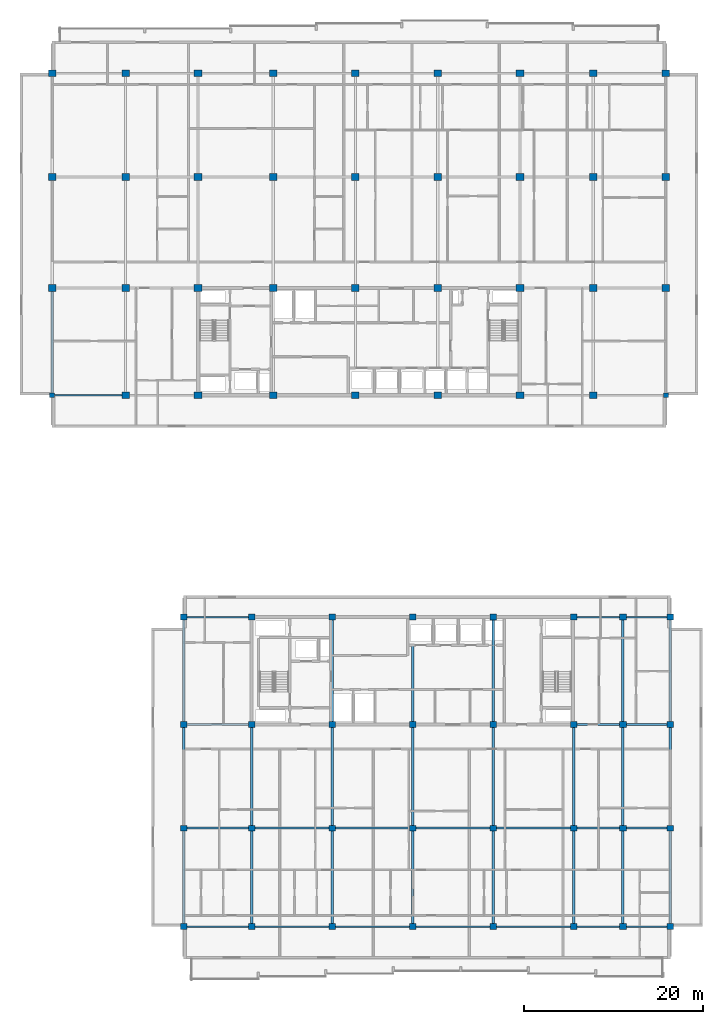
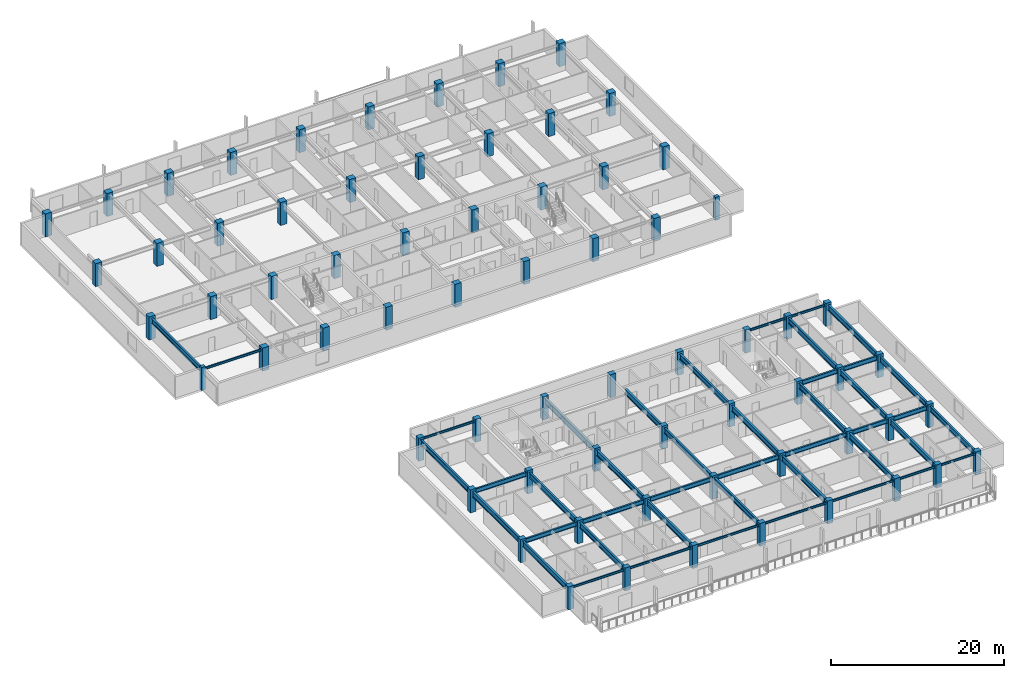
# One storey, part 1 of 21: 68 columns, 44 beams.
"""IFC4 building model written with IfcOpenShell, lengths in metres."""

from ifc_helpers import new_model, si_unit, direction, frame, origin, origin_2d, place, context, subcontext, project, spatial, rectangle, i_section, extrude, material, material_profile, profile_set, type_object, element, save


model = new_model("IFC4")

# Units and contexts
model_context = context("Model", 3, precision=1e-05, world=origin(), true_north=direction((0.0, 1.0)))
body_context = subcontext(model_context, "Body", "Model", "MODEL_VIEW")
ifc_project = project(units=[si_unit("LENGTHUNIT", "METRE"), si_unit("AREAUNIT", "SQUARE_METRE"), si_unit("VOLUMEUNIT", "CUBIC_METRE"), si_unit("PLANEANGLEUNIT", "RADIAN"), si_unit("MASSUNIT", "GRAM", prefix="KILO")], contexts=[model_context])

# Site, building, storey
site_placement = place(None, origin())
site = spatial("IfcSite", under=ifc_project, at=site_placement, CompositionType="ELEMENT")
building_placement = place(site_placement, origin())
building = spatial("IfcBuilding", under=site, at=building_placement, Name="Korimba Cascade Residences", CompositionType="ELEMENT")
storey_placement = place(building_placement, frame((0.0, 0.0, 175.10009765625)))
storey = spatial("IfcBuildingStorey", under=building, at=storey_placement, Name="L50", CompositionType="ELEMENT", Elevation=175.10009765625)

# Columns
ifc_material_1 = material(Name="Concrete C65/80", Category="concrete")
ifc_material_profile_1 = material_profile(ifc_material_1, rectangle(XDim=0.550048828125, YDim=0.449951171875, at=origin_2d()), Name="Concrete C65/80")
ifc_profile_set_1 = profile_set([ifc_material_profile_1], Name="Concrete C65/80")
column_type_1 = type_object("IfcColumnType", Name="COL-PIL-550", PredefinedType="PILASTER", material=ifc_profile_set_1)
for number, where, z_axis, x_axis, name in (
    (1, (59.800048828125, 55.199951171875, 0.0), (0.0, 0.0, 1.0), (1.0, 0.0, 0.0), "L50 Tower 1 Column 1.1"),
    (2, (128.39990234375, 55.199951171875, 0.0), (0.0, 0.0, 1.0), (1.0, 0.0, 0.0), "L50 Tower 1 Column 9.1"),
):
    element("IfcColumn", number, at=place(storey_placement, frame(where, z_axis=z_axis, x_axis=x_axis)), inside=storey, type_object=column_type_1, Name=name, PredefinedType="PILASTER", context=body_context, shape_type="SweptSolid", body=[
        extrude(rectangle(XDim=0.550048828125, YDim=0.449951171875, at=origin_2d()), origin(), (0.0, 0.0, 1.0), 3.25),
    ])
ifc_material_2 = material(Name="Concrete C50/60", Category="concrete")
ifc_material_profile_2 = material_profile(ifc_material_2, rectangle(XDim=0.75, YDim=0.64990234375, at=origin_2d()), Name="Concrete C50/60")
ifc_profile_set_2 = profile_set([ifc_material_profile_2], Name="Concrete C50/60")
column_type_2 = type_object("IfcColumnType", Name="COL-RC-750", PredefinedType="COLUMN", material=ifc_profile_set_2)
for number, where, z_axis, x_axis, name in (
    (3, (74.5, -4.199951171875, 0.0), (0.0, 0.0, 1.0), (1.0, 0.0, 0.0), "L50 Tower 2 Column 1.1"),
    (4, (74.5, 6.800048828125, 0.0), (0.0, 0.0, 1.0), (1.0, 0.0, 0.0), "L50 Tower 2 Column 1.2"),
    (5, (74.5, 18.39990234375, 0.0), (0.0, 0.0, 1.0), (1.0, 0.0, 0.0), "L50 Tower 2 Column 1.3"),
    (6, (74.5, 30.39990234375, 0.0), (0.0, 0.0, 1.0), (1.0, 0.0, 0.0), "L50 Tower 2 Column 1.4"),
    (7, (82.10009765625, -4.199951171875, 0.0), (0.0, 0.0, 1.0), (1.0, 0.0, 0.0), "L50 Tower 2 Column 2.1"),
    (8, (82.10009765625, 6.800048828125, 0.0), (0.0, 0.0, 1.0), (1.0, 0.0, 0.0), "L50 Tower 2 Column 2.2"),
    (9, (82.10009765625, 18.39990234375, 0.0), (0.0, 0.0, 1.0), (1.0, 0.0, 0.0), "L50 Tower 2 Column 2.3"),
    (10, (82.10009765625, 30.39990234375, 0.0), (0.0, 0.0, 1.0), (1.0, 0.0, 0.0), "L50 Tower 2 Column 2.4"),
    (11, (91.10009765625, -4.199951171875, 0.0), (0.0, 0.0, 1.0), (1.0, 0.0, 0.0), "L50 Tower 2 Column 3.1"),
    (12, (91.10009765625, 6.800048828125, 0.0), (0.0, 0.0, 1.0), (1.0, 0.0, 0.0), "L50 Tower 2 Column 3.2"),
    (13, (91.10009765625, 18.39990234375, 0.0), (0.0, 0.0, 1.0), (1.0, 0.0, 0.0), "L50 Tower 2 Column 3.3"),
    (14, (91.10009765625, 30.39990234375, 0.0), (0.0, 0.0, 1.0), (1.0, 0.0, 0.0), "L50 Tower 2 Column 3.4"),
    (15, (100.10009765625, -4.199951171875, 0.0), (0.0, 0.0, 1.0), (1.0, 0.0, 0.0), "L50 Tower 2 Column 4.1"),
    (16, (100.10009765625, 6.800048828125, 0.0), (0.0, 0.0, 1.0), (1.0, 0.0, 0.0), "L50 Tower 2 Column 4.2"),
    (17, (100.10009765625, 18.39990234375, 0.0), (0.0, 0.0, 1.0), (1.0, 0.0, 0.0), "L50 Tower 2 Column 4.3"),
    (18, (100.10009765625, 30.39990234375, 0.0), (0.0, 0.0, 1.0), (1.0, 0.0, 0.0), "L50 Tower 2 Column 4.4"),
    (19, (109.10009765625, -4.199951171875, 0.0), (0.0, 0.0, 1.0), (1.0, 0.0, 0.0), "L50 Tower 2 Column 5.1"),
    (20, (109.10009765625, 6.800048828125, 0.0), (0.0, 0.0, 1.0), (1.0, 0.0, 0.0), "L50 Tower 2 Column 5.2"),
    (21, (109.10009765625, 18.39990234375, 0.0), (0.0, 0.0, 1.0), (1.0, 0.0, 0.0), "L50 Tower 2 Column 5.3"),
    (22, (109.10009765625, 30.39990234375, 0.0), (0.0, 0.0, 1.0), (1.0, 0.0, 0.0), "L50 Tower 2 Column 5.4"),
    (23, (118.10009765625, -4.199951171875, 0.0), (0.0, 0.0, 1.0), (1.0, 0.0, 0.0), "L50 Tower 2 Column 6.1"),
    (24, (118.10009765625, 6.800048828125, 0.0), (0.0, 0.0, 1.0), (1.0, 0.0, 0.0), "L50 Tower 2 Column 6.2"),
    (25, (118.10009765625, 18.39990234375, 0.0), (0.0, 0.0, 1.0), (1.0, 0.0, 0.0), "L50 Tower 2 Column 6.3"),
    (26, (118.10009765625, 30.39990234375, 0.0), (0.0, 0.0, 1.0), (1.0, 0.0, 0.0), "L50 Tower 2 Column 6.4"),
    (27, (123.60009765625, -4.199951171875, 0.0), (0.0, 0.0, 1.0), (1.0, 0.0, 0.0), "L50 Tower 2 Column 7.1"),
    (28, (123.60009765625, 6.800048828125, 0.0), (0.0, 0.0, 1.0), (1.0, 0.0, 0.0), "L50 Tower 2 Column 7.2"),
    (29, (123.60009765625, 18.39990234375, 0.0), (0.0, 0.0, 1.0), (1.0, 0.0, 0.0), "L50 Tower 2 Column 7.3"),
    (30, (123.60009765625, 30.39990234375, 0.0), (0.0, 0.0, 1.0), (1.0, 0.0, 0.0), "L50 Tower 2 Column 7.4"),
    (31, (128.89990234375, -4.199951171875, 0.0), (0.0, 0.0, 1.0), (1.0, 0.0, 0.0), "L50 Tower 2 Column 8.1"),
    (32, (128.89990234375, 6.800048828125, 0.0), (0.0, 0.0, 1.0), (1.0, 0.0, 0.0), "L50 Tower 2 Column 8.2"),
    (33, (128.89990234375, 18.39990234375, 0.0), (0.0, 0.0, 1.0), (1.0, 0.0, 0.0), "L50 Tower 2 Column 8.3"),
    (34, (128.89990234375, 30.39990234375, 0.0), (0.0, 0.0, 1.0), (1.0, 0.0, 0.0), "L50 Tower 2 Column 8.4"),
):
    element("IfcColumn", number, at=place(storey_placement, frame(where, z_axis=z_axis, x_axis=x_axis)), inside=storey, type_object=column_type_2, Name=name, PredefinedType="COLUMN", context=body_context, shape_type="SweptSolid", body=[
        extrude(rectangle(XDim=0.75, YDim=0.64990234375, at=origin_2d()), origin(), (0.0, 0.0, 1.0), 3.25),
    ])
ifc_material_profile_3 = material_profile(ifc_material_1, rectangle(XDim=0.85009765625, YDim=0.75, at=origin_2d()), Name="Concrete C65/80")
ifc_profile_set_3 = profile_set([ifc_material_profile_3], Name="Concrete C65/80")
column_type_3 = type_object("IfcColumnType", Name="COL-RC-850", PredefinedType="COLUMN", material=ifc_profile_set_3)
for number, where, z_axis, x_axis, name in (
    (35, (59.800048828125, 67.199951171875, 0.0), (0.0, 0.0, 1.0), (1.0, 0.0, 0.0), "L50 Tower 1 Column 1.2"),
    (36, (59.800048828125, 79.60009765625, 0.0), (0.0, 0.0, 1.0), (1.0, 0.0, 0.0), "L50 Tower 1 Column 1.3"),
    (37, (59.800048828125, 91.199951171875, 0.0), (0.0, 0.0, 1.0), (1.0, 0.0, 0.0), "L50 Tower 1 Column 1.4"),
    (38, (68.0, 55.199951171875, 0.0), (0.0, 0.0, 1.0), (1.0, 0.0, 0.0), "L50 Tower 1 Column 2.1"),
    (39, (68.0, 67.199951171875, 0.0), (0.0, 0.0, 1.0), (1.0, 0.0, 0.0), "L50 Tower 1 Column 2.2"),
    (40, (68.0, 79.60009765625, 0.0), (0.0, 0.0, 1.0), (1.0, 0.0, 0.0), "L50 Tower 1 Column 2.3"),
    (41, (68.0, 91.199951171875, 0.0), (0.0, 0.0, 1.0), (1.0, 0.0, 0.0), "L50 Tower 1 Column 2.4"),
    (42, (76.10009765625, 55.199951171875, 0.0), (0.0, 0.0, 1.0), (1.0, 0.0, 0.0), "L50 Tower 1 Column 3.1"),
    (43, (76.10009765625, 67.199951171875, 0.0), (0.0, 0.0, 1.0), (1.0, 0.0, 0.0), "L50 Tower 1 Column 3.2"),
    (44, (76.10009765625, 79.60009765625, 0.0), (0.0, 0.0, 1.0), (1.0, 0.0, 0.0), "L50 Tower 1 Column 3.3"),
    (45, (76.10009765625, 91.199951171875, 0.0), (0.0, 0.0, 1.0), (1.0, 0.0, 0.0), "L50 Tower 1 Column 3.4"),
    (46, (84.5, 55.199951171875, 0.0), (0.0, 0.0, 1.0), (1.0, 0.0, 0.0), "L50 Tower 1 Column 4.1"),
    (47, (84.5, 67.199951171875, 0.0), (0.0, 0.0, 1.0), (1.0, 0.0, 0.0), "L50 Tower 1 Column 4.2"),
    (48, (84.5, 79.60009765625, 0.0), (0.0, 0.0, 1.0), (1.0, 0.0, 0.0), "L50 Tower 1 Column 4.3"),
    (49, (84.5, 91.199951171875, 0.0), (0.0, 0.0, 1.0), (1.0, 0.0, 0.0), "L50 Tower 1 Column 4.4"),
    (50, (93.699951171875, 55.199951171875, 0.0), (0.0, 0.0, 1.0), (1.0, 0.0, 0.0), "L50 Tower 1 Column 5.1"),
    (51, (93.699951171875, 67.199951171875, 0.0), (0.0, 0.0, 1.0), (1.0, 0.0, 0.0), "L50 Tower 1 Column 5.2"),
    (52, (93.699951171875, 79.60009765625, 0.0), (0.0, 0.0, 1.0), (1.0, 0.0, 0.0), "L50 Tower 1 Column 5.3"),
    (53, (93.699951171875, 91.199951171875, 0.0), (0.0, 0.0, 1.0), (1.0, 0.0, 0.0), "L50 Tower 1 Column 5.4"),
    (54, (102.89990234375, 55.199951171875, 0.0), (0.0, 0.0, 1.0), (1.0, 0.0, 0.0), "L50 Tower 1 Column 6.1"),
    (55, (102.89990234375, 67.199951171875, 0.0), (0.0, 0.0, 1.0), (1.0, 0.0, 0.0), "L50 Tower 1 Column 6.2"),
    (56, (102.89990234375, 79.60009765625, 0.0), (0.0, 0.0, 1.0), (1.0, 0.0, 0.0), "L50 Tower 1 Column 6.3"),
    (57, (102.89990234375, 91.199951171875, 0.0), (0.0, 0.0, 1.0), (1.0, 0.0, 0.0), "L50 Tower 1 Column 6.4"),
    (58, (112.10009765625, 55.199951171875, 0.0), (0.0, 0.0, 1.0), (1.0, 0.0, 0.0), "L50 Tower 1 Column 7.1"),
    (59, (112.10009765625, 67.199951171875, 0.0), (0.0, 0.0, 1.0), (1.0, 0.0, 0.0), "L50 Tower 1 Column 7.2"),
    (60, (112.10009765625, 79.60009765625, 0.0), (0.0, 0.0, 1.0), (1.0, 0.0, 0.0), "L50 Tower 1 Column 7.3"),
    (61, (112.10009765625, 91.199951171875, 0.0), (0.0, 0.0, 1.0), (1.0, 0.0, 0.0), "L50 Tower 1 Column 7.4"),
    (62, (120.300048828125, 55.199951171875, 0.0), (0.0, 0.0, 1.0), (1.0, 0.0, 0.0), "L50 Tower 1 Column 8.1"),
    (63, (120.300048828125, 67.199951171875, 0.0), (0.0, 0.0, 1.0), (1.0, 0.0, 0.0), "L50 Tower 1 Column 8.2"),
    (64, (120.300048828125, 79.60009765625, 0.0), (0.0, 0.0, 1.0), (1.0, 0.0, 0.0), "L50 Tower 1 Column 8.3"),
    (65, (120.300048828125, 91.199951171875, 0.0), (0.0, 0.0, 1.0), (1.0, 0.0, 0.0), "L50 Tower 1 Column 8.4"),
    (66, (128.39990234375, 67.199951171875, 0.0), (0.0, 0.0, 1.0), (1.0, 0.0, 0.0), "L50 Tower 1 Column 9.2"),
    (67, (128.39990234375, 79.60009765625, 0.0), (0.0, 0.0, 1.0), (1.0, 0.0, 0.0), "L50 Tower 1 Column 9.3"),
    (68, (128.39990234375, 91.199951171875, 0.0), (0.0, 0.0, 1.0), (1.0, 0.0, 0.0), "L50 Tower 1 Column 9.4"),
):
    element("IfcColumn", number, at=place(storey_placement, frame(where, z_axis=z_axis, x_axis=x_axis)), inside=storey, type_object=column_type_3, Name=name, PredefinedType="COLUMN", context=body_context, shape_type="SweptSolid", body=[
        extrude(rectangle(XDim=0.85009765625, YDim=0.75, at=origin_2d()), origin(), (0.0, 0.0, 1.0), 3.25),
    ])

# Beams
ifc_material_3 = material(Name="Steel S355", Category="steel")
ifc_material_profile_4 = material_profile(ifc_material_3, i_section(OverallWidth=0.165771484375, OverallDepth=0.306640625, WebThickness=0.006591796875, FlangeThickness=0.01171875, FilletRadius=0.0087890625, at=origin_2d()), Name="Steel S355")
ifc_profile_set_4 = profile_set([ifc_material_profile_4], Name="Steel S355")
beam_type_1 = type_object("IfcBeamType", Name="BM-STL-UB305", PredefinedType="SPANDREL", material=ifc_profile_set_4)
beam_1_placement = place(storey_placement, frame((60.074951171875, 55.199951171875, 2.816650390625), z_axis=(1.0, 0.0, 0.0), x_axis=(0.0, 1.0, 0.0)))
element("IfcBeam", 69, at=beam_1_placement, inside=storey, type_object=beam_type_1, Name="L50 T1 E-W Girder Y1 Bay 1", PredefinedType="SPANDREL", context=body_context, shape_type="SweptSolid", body=[
    extrude(i_section(OverallWidth=0.165771484375, OverallDepth=0.306640625, WebThickness=0.006591796875, FlangeThickness=0.01171875, FilletRadius=0.0087890625, at=origin_2d()), origin(), (0.0, 0.0, 1.0), 7.5),
])
beam_2_placement = place(storey_placement, frame((74.875, -4.199951171875, 2.816650390625), z_axis=(1.0, 0.0, 0.0), x_axis=(0.0, 1.0, 0.0)))
element("IfcBeam", 70, at=beam_2_placement, inside=storey, type_object=beam_type_1, Name="L50 T2 E-W Girder Y1 Bay 1", PredefinedType="SPANDREL", context=body_context, shape_type="SweptSolid", body=[
    extrude(i_section(OverallWidth=0.165771484375, OverallDepth=0.306640625, WebThickness=0.006591796875, FlangeThickness=0.01171875, FilletRadius=0.0087890625, at=origin_2d()), origin(), (0.0, 0.0, 1.0), 6.85009765625),
])
for number, where, z_axis, x_axis, name in (
    (71, (82.47509765625, -4.199951171875, 2.816650390625), (1.0, 0.0, 0.0), (0.0, 1.0, 0.0), "L50 T2 E-W Girder Y1 Bay 2"),
    (72, (91.47509765625, -4.199951171875, 2.816650390625), (1.0, 0.0, 0.0), (0.0, 1.0, 0.0), "L50 T2 E-W Girder Y1 Bay 3"),
    (73, (100.47509765625, -4.199951171875, 2.816650390625), (1.0, 0.0, 0.0), (0.0, 1.0, 0.0), "L50 T2 E-W Girder Y1 Bay 4"),
    (74, (109.47509765625, -4.199951171875, 2.816650390625), (1.0, 0.0, 0.0), (0.0, 1.0, 0.0), "L50 T2 E-W Girder Y1 Bay 5"),
):
    element("IfcBeam", number, at=place(storey_placement, frame(where, z_axis=z_axis, x_axis=x_axis)), inside=storey, type_object=beam_type_1, Name=name, PredefinedType="SPANDREL", context=body_context, shape_type="SweptSolid", body=[
        extrude(i_section(OverallWidth=0.165771484375, OverallDepth=0.306640625, WebThickness=0.006591796875, FlangeThickness=0.01171875, FilletRadius=0.0087890625, at=origin_2d()), origin(), (0.0, 0.0, 1.0), 8.25),
    ])
beam_3_placement = place(storey_placement, frame((118.47509765625, -4.199951171875, 2.816650390625), z_axis=(1.0, 0.0, 0.0), x_axis=(0.0, 1.0, 0.0)))
element("IfcBeam", 75, at=beam_3_placement, inside=storey, type_object=beam_type_1, Name="L50 T2 E-W Girder Y1 Bay 6", PredefinedType="SPANDREL", context=body_context, shape_type="SweptSolid", body=[
    extrude(i_section(OverallWidth=0.165771484375, OverallDepth=0.306640625, WebThickness=0.006591796875, FlangeThickness=0.01171875, FilletRadius=0.0087890625, at=origin_2d()), origin(), (0.0, 0.0, 1.0), 4.75),
])
beam_4_placement = place(storey_placement, frame((123.97509765625, -4.199951171875, 2.816650390625), z_axis=(1.0, 0.0, 0.0), x_axis=(0.0, 1.0, 0.0)))
element("IfcBeam", 76, at=beam_4_placement, inside=storey, type_object=beam_type_1, Name="L50 T2 E-W Girder Y1 Bay 7", PredefinedType="SPANDREL", context=body_context, shape_type="SweptSolid", body=[
    extrude(i_section(OverallWidth=0.165771484375, OverallDepth=0.306640625, WebThickness=0.006591796875, FlangeThickness=0.01171875, FilletRadius=0.0087890625, at=origin_2d()), origin(), (0.0, 0.0, 1.0), 4.5498046875),
])
beam_5_placement = place(storey_placement, frame((74.875, 30.39990234375, 2.816650390625), z_axis=(1.0, 0.0, 0.0), x_axis=(0.0, 1.0, 0.0)))
element("IfcBeam", 77, at=beam_5_placement, inside=storey, type_object=beam_type_1, Name="L50 T2 E-W Girder Y4 Bay 1", PredefinedType="SPANDREL", context=body_context, shape_type="SweptSolid", body=[
    extrude(i_section(OverallWidth=0.165771484375, OverallDepth=0.306640625, WebThickness=0.006591796875, FlangeThickness=0.01171875, FilletRadius=0.0087890625, at=origin_2d()), origin(), (0.0, 0.0, 1.0), 6.85009765625),
])
beam_6_placement = place(storey_placement, frame((118.47509765625, 30.39990234375, 2.816650390625), z_axis=(1.0, 0.0, 0.0), x_axis=(0.0, 1.0, 0.0)))
element("IfcBeam", 78, at=beam_6_placement, inside=storey, type_object=beam_type_1, Name="L50 T2 E-W Girder Y4 Bay 6", PredefinedType="SPANDREL", context=body_context, shape_type="SweptSolid", body=[
    extrude(i_section(OverallWidth=0.165771484375, OverallDepth=0.306640625, WebThickness=0.006591796875, FlangeThickness=0.01171875, FilletRadius=0.0087890625, at=origin_2d()), origin(), (0.0, 0.0, 1.0), 4.75),
])
beam_7_placement = place(storey_placement, frame((123.97509765625, 30.39990234375, 2.816650390625), z_axis=(1.0, 0.0, 0.0), x_axis=(0.0, 1.0, 0.0)))
element("IfcBeam", 79, at=beam_7_placement, inside=storey, type_object=beam_type_1, Name="L50 T2 E-W Girder Y4 Bay 7", PredefinedType="SPANDREL", context=body_context, shape_type="SweptSolid", body=[
    extrude(i_section(OverallWidth=0.165771484375, OverallDepth=0.306640625, WebThickness=0.006591796875, FlangeThickness=0.01171875, FilletRadius=0.0087890625, at=origin_2d()), origin(), (0.0, 0.0, 1.0), 4.5498046875),
])
ifc_material_profile_5 = material_profile(ifc_material_3, i_section(OverallWidth=0.22900390625, OverallDepth=0.6123046875, WebThickness=0.011962890625, FlangeThickness=0.01953125, FilletRadius=0.0126953125, at=origin_2d()), Name="Steel S355")
ifc_profile_set_5 = profile_set([ifc_material_profile_5], Name="Steel S355")
beam_type_2 = type_object("IfcBeamType", Name="BM-STL-UB610B", PredefinedType="BEAM", material=ifc_profile_set_5)
beam_8_placement = place(storey_placement, frame((74.875, 6.800048828125, 2.663818359375), z_axis=(1.0, 0.0, 0.0), x_axis=(0.0, 1.0, 0.0)))
element("IfcBeam", 80, at=beam_8_placement, inside=storey, type_object=beam_type_2, Name="L50 T2 E-W Girder Y2 Bay 1", PredefinedType="BEAM", context=body_context, shape_type="SweptSolid", body=[
    extrude(i_section(OverallWidth=0.22900390625, OverallDepth=0.6123046875, WebThickness=0.011962890625, FlangeThickness=0.01953125, FilletRadius=0.0126953125, at=origin_2d()), origin(), (0.0, 0.0, 1.0), 6.85009765625),
])
for number, where, z_axis, x_axis, name in (
    (81, (82.47509765625, 6.800048828125, 2.663818359375), (1.0, 0.0, 0.0), (0.0, 1.0, 0.0), "L50 T2 E-W Girder Y2 Bay 2"),
    (82, (91.47509765625, 6.800048828125, 2.663818359375), (1.0, 0.0, 0.0), (0.0, 1.0, 0.0), "L50 T2 E-W Girder Y2 Bay 3"),
    (83, (100.47509765625, 6.800048828125, 2.663818359375), (1.0, 0.0, 0.0), (0.0, 1.0, 0.0), "L50 T2 E-W Girder Y2 Bay 4"),
    (84, (109.47509765625, 6.800048828125, 2.663818359375), (1.0, 0.0, 0.0), (0.0, 1.0, 0.0), "L50 T2 E-W Girder Y2 Bay 5"),
):
    element("IfcBeam", number, at=place(storey_placement, frame(where, z_axis=z_axis, x_axis=x_axis)), inside=storey, type_object=beam_type_2, Name=name, PredefinedType="BEAM", context=body_context, shape_type="SweptSolid", body=[
        extrude(i_section(OverallWidth=0.22900390625, OverallDepth=0.6123046875, WebThickness=0.011962890625, FlangeThickness=0.01953125, FilletRadius=0.0126953125, at=origin_2d()), origin(), (0.0, 0.0, 1.0), 8.25),
    ])
beam_9_placement = place(storey_placement, frame((118.47509765625, 6.800048828125, 2.663818359375), z_axis=(1.0, 0.0, 0.0), x_axis=(0.0, 1.0, 0.0)))
element("IfcBeam", 85, at=beam_9_placement, inside=storey, type_object=beam_type_2, Name="L50 T2 E-W Girder Y2 Bay 6", PredefinedType="BEAM", context=body_context, shape_type="SweptSolid", body=[
    extrude(i_section(OverallWidth=0.22900390625, OverallDepth=0.6123046875, WebThickness=0.011962890625, FlangeThickness=0.01953125, FilletRadius=0.0126953125, at=origin_2d()), origin(), (0.0, 0.0, 1.0), 4.75),
])
beam_10_placement = place(storey_placement, frame((123.97509765625, 6.800048828125, 2.663818359375), z_axis=(1.0, 0.0, 0.0), x_axis=(0.0, 1.0, 0.0)))
element("IfcBeam", 86, at=beam_10_placement, inside=storey, type_object=beam_type_2, Name="L50 T2 E-W Girder Y2 Bay 7", PredefinedType="BEAM", context=body_context, shape_type="SweptSolid", body=[
    extrude(i_section(OverallWidth=0.22900390625, OverallDepth=0.6123046875, WebThickness=0.011962890625, FlangeThickness=0.01953125, FilletRadius=0.0126953125, at=origin_2d()), origin(), (0.0, 0.0, 1.0), 4.5498046875),
])
beam_11_placement = place(storey_placement, frame((74.875, 18.39990234375, 2.663818359375), z_axis=(1.0, 0.0, 0.0), x_axis=(0.0, 1.0, 0.0)))
element("IfcBeam", 87, at=beam_11_placement, inside=storey, type_object=beam_type_2, Name="L50 T2 E-W Girder Y3 Bay 1", PredefinedType="BEAM", context=body_context, shape_type="SweptSolid", body=[
    extrude(i_section(OverallWidth=0.22900390625, OverallDepth=0.6123046875, WebThickness=0.011962890625, FlangeThickness=0.01953125, FilletRadius=0.0126953125, at=origin_2d()), origin(), (0.0, 0.0, 1.0), 6.85009765625),
])
beam_12_placement = place(storey_placement, frame((118.47509765625, 18.39990234375, 2.663818359375), z_axis=(1.0, 0.0, 0.0), x_axis=(0.0, 1.0, 0.0)))
element("IfcBeam", 88, at=beam_12_placement, inside=storey, type_object=beam_type_2, Name="L50 T2 E-W Girder Y3 Bay 6", PredefinedType="BEAM", context=body_context, shape_type="SweptSolid", body=[
    extrude(i_section(OverallWidth=0.22900390625, OverallDepth=0.6123046875, WebThickness=0.011962890625, FlangeThickness=0.01953125, FilletRadius=0.0126953125, at=origin_2d()), origin(), (0.0, 0.0, 1.0), 4.75),
])
beam_13_placement = place(storey_placement, frame((123.97509765625, 18.39990234375, 2.663818359375), z_axis=(1.0, 0.0, 0.0), x_axis=(0.0, 1.0, 0.0)))
element("IfcBeam", 89, at=beam_13_placement, inside=storey, type_object=beam_type_2, Name="L50 T2 E-W Girder Y3 Bay 7", PredefinedType="BEAM", context=body_context, shape_type="SweptSolid", body=[
    extrude(i_section(OverallWidth=0.22900390625, OverallDepth=0.6123046875, WebThickness=0.011962890625, FlangeThickness=0.01953125, FilletRadius=0.0126953125, at=origin_2d()), origin(), (0.0, 0.0, 1.0), 4.5498046875),
])
ifc_material_profile_6 = material_profile(ifc_material_3, i_section(OverallWidth=0.255859375, OverallDepth=0.69287109375, WebThickness=0.014404296875, FlangeThickness=0.023681640625, FilletRadius=0.01513671875, at=origin_2d()), Name="Steel S355")
ifc_profile_set_6 = profile_set([ifc_material_profile_6], Name="Steel S355")
beam_type_3 = type_object("IfcBeamType", Name="BM-STL-UB686", PredefinedType="BEAM", material=ifc_profile_set_6)
beam_14_placement = place(storey_placement, frame((59.800048828125, 55.425048828125, 2.623291015625), z_axis=(0.0, 1.0, 0.0), x_axis=(-1.0, 0.0, 0.0)))
element("IfcBeam", 90, at=beam_14_placement, inside=storey, type_object=beam_type_3, Name="L50 T1 N-S Girder X1 Seg 1", PredefinedType="BEAM", context=body_context, shape_type="SweptSolid", body=[
    extrude(i_section(OverallWidth=0.255859375, OverallDepth=0.69287109375, WebThickness=0.014404296875, FlangeThickness=0.023681640625, FilletRadius=0.01513671875, at=origin_2d()), origin(), (0.0, 0.0, 1.0), 11.39990234375),
])
ifc_material_profile_7 = material_profile(ifc_material_3, i_section(OverallWidth=0.26806640625, OverallDepth=0.769775390625, WebThickness=0.015625, FlangeThickness=0.025390625, FilletRadius=0.0166015625, at=origin_2d()), Name="Steel S355")
ifc_profile_set_7 = profile_set([ifc_material_profile_7], Name="Steel S355")
beam_type_4 = type_object("IfcBeamType", Name="BM-STL-UB762", PredefinedType="BEAM", material=ifc_profile_set_7)
beam_15_placement = place(storey_placement, frame((74.5, -3.875, 2.5849609375), z_axis=(0.0, 1.0, 0.0), x_axis=(-1.0, 0.0, 0.0)))
element("IfcBeam", 91, at=beam_15_placement, inside=storey, type_object=beam_type_4, Name="L50 T2 N-S Girder X1 Seg 1", PredefinedType="BEAM", context=body_context, shape_type="SweptSolid", body=[
    extrude(i_section(OverallWidth=0.26806640625, OverallDepth=0.769775390625, WebThickness=0.015625, FlangeThickness=0.025390625, FilletRadius=0.0166015625, at=origin_2d()), origin(), (0.0, 0.0, 1.0), 10.35009765625),
])
beam_16_placement = place(storey_placement, frame((74.5, 7.125, 2.5849609375), z_axis=(0.0, 1.0, 0.0), x_axis=(-1.0, 0.0, 0.0)))
element("IfcBeam", 92, at=beam_16_placement, inside=storey, type_object=beam_type_4, Name="L50 T2 N-S Girder X1 Seg 2", PredefinedType="BEAM", context=body_context, shape_type="SweptSolid", body=[
    extrude(i_section(OverallWidth=0.26806640625, OverallDepth=0.769775390625, WebThickness=0.015625, FlangeThickness=0.025390625, FilletRadius=0.0166015625, at=origin_2d()), origin(), (0.0, 0.0, 1.0), 10.949951171875),
])
beam_17_placement = place(storey_placement, frame((74.5, 18.72509765625, 2.5849609375), z_axis=(0.0, 1.0, 0.0), x_axis=(-1.0, 0.0, 0.0)))
element("IfcBeam", 93, at=beam_17_placement, inside=storey, type_object=beam_type_4, Name="L50 T2 N-S Girder X1 Seg 3", PredefinedType="BEAM", context=body_context, shape_type="SweptSolid", body=[
    extrude(i_section(OverallWidth=0.26806640625, OverallDepth=0.769775390625, WebThickness=0.015625, FlangeThickness=0.025390625, FilletRadius=0.0166015625, at=origin_2d()), origin(), (0.0, 0.0, 1.0), 11.349853515625),
])
beam_18_placement = place(storey_placement, frame((82.10009765625, -3.875, 2.5849609375), z_axis=(0.0, 1.0, 0.0), x_axis=(-1.0, 0.0, 0.0)))
element("IfcBeam", 94, at=beam_18_placement, inside=storey, type_object=beam_type_4, Name="L50 T2 N-S Girder X2 Seg 1", PredefinedType="BEAM", context=body_context, shape_type="SweptSolid", body=[
    extrude(i_section(OverallWidth=0.26806640625, OverallDepth=0.769775390625, WebThickness=0.015625, FlangeThickness=0.025390625, FilletRadius=0.0166015625, at=origin_2d()), origin(), (0.0, 0.0, 1.0), 10.35009765625),
])
beam_19_placement = place(storey_placement, frame((82.10009765625, 7.125, 2.5849609375), z_axis=(0.0, 1.0, 0.0), x_axis=(-1.0, 0.0, 0.0)))
element("IfcBeam", 95, at=beam_19_placement, inside=storey, type_object=beam_type_4, Name="L50 T2 N-S Girder X2 Seg 2", PredefinedType="BEAM", context=body_context, shape_type="SweptSolid", body=[
    extrude(i_section(OverallWidth=0.26806640625, OverallDepth=0.769775390625, WebThickness=0.015625, FlangeThickness=0.025390625, FilletRadius=0.0166015625, at=origin_2d()), origin(), (0.0, 0.0, 1.0), 10.949951171875),
])
beam_20_placement = place(storey_placement, frame((91.10009765625, -3.875, 2.5849609375), z_axis=(0.0, 1.0, 0.0), x_axis=(-1.0, 0.0, 0.0)))
element("IfcBeam", 96, at=beam_20_placement, inside=storey, type_object=beam_type_4, Name="L50 T2 N-S Girder X3 Seg 1", PredefinedType="BEAM", context=body_context, shape_type="SweptSolid", body=[
    extrude(i_section(OverallWidth=0.26806640625, OverallDepth=0.769775390625, WebThickness=0.015625, FlangeThickness=0.025390625, FilletRadius=0.0166015625, at=origin_2d()), origin(), (0.0, 0.0, 1.0), 10.35009765625),
])
beam_21_placement = place(storey_placement, frame((91.10009765625, 7.125, 2.5849609375), z_axis=(0.0, 1.0, 0.0), x_axis=(-1.0, 0.0, 0.0)))
element("IfcBeam", 97, at=beam_21_placement, inside=storey, type_object=beam_type_4, Name="L50 T2 N-S Girder X3 Seg 2", PredefinedType="BEAM", context=body_context, shape_type="SweptSolid", body=[
    extrude(i_section(OverallWidth=0.26806640625, OverallDepth=0.769775390625, WebThickness=0.015625, FlangeThickness=0.025390625, FilletRadius=0.0166015625, at=origin_2d()), origin(), (0.0, 0.0, 1.0), 10.949951171875),
])
beam_22_placement = place(storey_placement, frame((91.10009765625, 18.72509765625, 2.5849609375), z_axis=(0.0, 1.0, 0.0), x_axis=(-1.0, 0.0, 0.0)))
element("IfcBeam", 98, at=beam_22_placement, inside=storey, type_object=beam_type_4, Name="L50 T2 N-S Girder X3 Seg 3", PredefinedType="BEAM", context=body_context, shape_type="SweptSolid", body=[
    extrude(i_section(OverallWidth=0.26806640625, OverallDepth=0.769775390625, WebThickness=0.015625, FlangeThickness=0.025390625, FilletRadius=0.0166015625, at=origin_2d()), origin(), (0.0, 0.0, 1.0), 11.349853515625),
])
beam_23_placement = place(storey_placement, frame((100.10009765625, -3.875, 2.5849609375), z_axis=(0.0, 1.0, 0.0), x_axis=(-1.0, 0.0, 0.0)))
element("IfcBeam", 99, at=beam_23_placement, inside=storey, type_object=beam_type_4, Name="L50 T2 N-S Girder X4 Seg 1", PredefinedType="BEAM", context=body_context, shape_type="SweptSolid", body=[
    extrude(i_section(OverallWidth=0.26806640625, OverallDepth=0.769775390625, WebThickness=0.015625, FlangeThickness=0.025390625, FilletRadius=0.0166015625, at=origin_2d()), origin(), (0.0, 0.0, 1.0), 10.35009765625),
])
beam_24_placement = place(storey_placement, frame((100.10009765625, 7.125, 2.5849609375), z_axis=(0.0, 1.0, 0.0), x_axis=(-1.0, 0.0, 0.0)))
element("IfcBeam", 100, at=beam_24_placement, inside=storey, type_object=beam_type_4, Name="L50 T2 N-S Girder X4 Seg 2", PredefinedType="BEAM", context=body_context, shape_type="SweptSolid", body=[
    extrude(i_section(OverallWidth=0.26806640625, OverallDepth=0.769775390625, WebThickness=0.015625, FlangeThickness=0.025390625, FilletRadius=0.0166015625, at=origin_2d()), origin(), (0.0, 0.0, 1.0), 10.949951171875),
])
beam_25_placement = place(storey_placement, frame((100.10009765625, 18.72509765625, 2.5849609375), z_axis=(0.0, 1.0, 0.0), x_axis=(-1.0, 0.0, 0.0)))
element("IfcBeam", 101, at=beam_25_placement, inside=storey, type_object=beam_type_4, Name="L50 T2 N-S Girder X4 Seg 3", PredefinedType="BEAM", context=body_context, shape_type="SweptSolid", body=[
    extrude(i_section(OverallWidth=0.26806640625, OverallDepth=0.769775390625, WebThickness=0.015625, FlangeThickness=0.025390625, FilletRadius=0.0166015625, at=origin_2d()), origin(), (0.0, 0.0, 1.0), 8.614990234375),
])
beam_26_placement = place(storey_placement, frame((109.10009765625, -3.875, 2.5849609375), z_axis=(0.0, 1.0, 0.0), x_axis=(-1.0, 0.0, 0.0)))
element("IfcBeam", 102, at=beam_26_placement, inside=storey, type_object=beam_type_4, Name="L50 T2 N-S Girder X5 Seg 1", PredefinedType="BEAM", context=body_context, shape_type="SweptSolid", body=[
    extrude(i_section(OverallWidth=0.26806640625, OverallDepth=0.769775390625, WebThickness=0.015625, FlangeThickness=0.025390625, FilletRadius=0.0166015625, at=origin_2d()), origin(), (0.0, 0.0, 1.0), 10.35009765625),
])
beam_27_placement = place(storey_placement, frame((109.10009765625, 7.125, 2.5849609375), z_axis=(0.0, 1.0, 0.0), x_axis=(-1.0, 0.0, 0.0)))
element("IfcBeam", 103, at=beam_27_placement, inside=storey, type_object=beam_type_4, Name="L50 T2 N-S Girder X5 Seg 2", PredefinedType="BEAM", context=body_context, shape_type="SweptSolid", body=[
    extrude(i_section(OverallWidth=0.26806640625, OverallDepth=0.769775390625, WebThickness=0.015625, FlangeThickness=0.025390625, FilletRadius=0.0166015625, at=origin_2d()), origin(), (0.0, 0.0, 1.0), 10.949951171875),
])
beam_28_placement = place(storey_placement, frame((109.10009765625, 18.72509765625, 2.5849609375), z_axis=(0.0, 1.0, 0.0), x_axis=(-1.0, 0.0, 0.0)))
element("IfcBeam", 104, at=beam_28_placement, inside=storey, type_object=beam_type_4, Name="L50 T2 N-S Girder X5 Seg 3", PredefinedType="BEAM", context=body_context, shape_type="SweptSolid", body=[
    extrude(i_section(OverallWidth=0.26806640625, OverallDepth=0.769775390625, WebThickness=0.015625, FlangeThickness=0.025390625, FilletRadius=0.0166015625, at=origin_2d()), origin(), (0.0, 0.0, 1.0), 11.349853515625),
])
beam_29_placement = place(storey_placement, frame((118.10009765625, -3.875, 2.5849609375), z_axis=(0.0, 1.0, 0.0), x_axis=(-1.0, 0.0, 0.0)))
element("IfcBeam", 105, at=beam_29_placement, inside=storey, type_object=beam_type_4, Name="L50 T2 N-S Girder X6 Seg 1", PredefinedType="BEAM", context=body_context, shape_type="SweptSolid", body=[
    extrude(i_section(OverallWidth=0.26806640625, OverallDepth=0.769775390625, WebThickness=0.015625, FlangeThickness=0.025390625, FilletRadius=0.0166015625, at=origin_2d()), origin(), (0.0, 0.0, 1.0), 10.35009765625),
])
beam_30_placement = place(storey_placement, frame((118.10009765625, 7.125, 2.5849609375), z_axis=(0.0, 1.0, 0.0), x_axis=(-1.0, 0.0, 0.0)))
element("IfcBeam", 106, at=beam_30_placement, inside=storey, type_object=beam_type_4, Name="L50 T2 N-S Girder X6 Seg 2", PredefinedType="BEAM", context=body_context, shape_type="SweptSolid", body=[
    extrude(i_section(OverallWidth=0.26806640625, OverallDepth=0.769775390625, WebThickness=0.015625, FlangeThickness=0.025390625, FilletRadius=0.0166015625, at=origin_2d()), origin(), (0.0, 0.0, 1.0), 10.949951171875),
])
beam_31_placement = place(storey_placement, frame((123.60009765625, -3.875, 2.5849609375), z_axis=(0.0, 1.0, 0.0), x_axis=(-1.0, 0.0, 0.0)))
element("IfcBeam", 107, at=beam_31_placement, inside=storey, type_object=beam_type_4, Name="L50 T2 N-S Girder X7 Seg 1", PredefinedType="BEAM", context=body_context, shape_type="SweptSolid", body=[
    extrude(i_section(OverallWidth=0.26806640625, OverallDepth=0.769775390625, WebThickness=0.015625, FlangeThickness=0.025390625, FilletRadius=0.0166015625, at=origin_2d()), origin(), (0.0, 0.0, 1.0), 10.35009765625),
])
beam_32_placement = place(storey_placement, frame((123.60009765625, 7.125, 2.5849609375), z_axis=(0.0, 1.0, 0.0), x_axis=(-1.0, 0.0, 0.0)))
element("IfcBeam", 108, at=beam_32_placement, inside=storey, type_object=beam_type_4, Name="L50 T2 N-S Girder X7 Seg 2", PredefinedType="BEAM", context=body_context, shape_type="SweptSolid", body=[
    extrude(i_section(OverallWidth=0.26806640625, OverallDepth=0.769775390625, WebThickness=0.015625, FlangeThickness=0.025390625, FilletRadius=0.0166015625, at=origin_2d()), origin(), (0.0, 0.0, 1.0), 10.949951171875),
])
beam_33_placement = place(storey_placement, frame((123.60009765625, 18.72509765625, 2.5849609375), z_axis=(0.0, 1.0, 0.0), x_axis=(-1.0, 0.0, 0.0)))
element("IfcBeam", 109, at=beam_33_placement, inside=storey, type_object=beam_type_4, Name="L50 T2 N-S Girder X7 Seg 3", PredefinedType="BEAM", context=body_context, shape_type="SweptSolid", body=[
    extrude(i_section(OverallWidth=0.26806640625, OverallDepth=0.769775390625, WebThickness=0.015625, FlangeThickness=0.025390625, FilletRadius=0.0166015625, at=origin_2d()), origin(), (0.0, 0.0, 1.0), 11.349853515625),
])
beam_34_placement = place(storey_placement, frame((128.89990234375, -3.875, 2.5849609375), z_axis=(0.0, 1.0, 0.0), x_axis=(-1.0, 0.0, 0.0)))
element("IfcBeam", 110, at=beam_34_placement, inside=storey, type_object=beam_type_4, Name="L50 T2 N-S Girder X8 Seg 1", PredefinedType="BEAM", context=body_context, shape_type="SweptSolid", body=[
    extrude(i_section(OverallWidth=0.26806640625, OverallDepth=0.769775390625, WebThickness=0.015625, FlangeThickness=0.025390625, FilletRadius=0.0166015625, at=origin_2d()), origin(), (0.0, 0.0, 1.0), 10.35009765625),
])
beam_35_placement = place(storey_placement, frame((128.89990234375, 7.125, 2.5849609375), z_axis=(0.0, 1.0, 0.0), x_axis=(-1.0, 0.0, 0.0)))
element("IfcBeam", 111, at=beam_35_placement, inside=storey, type_object=beam_type_4, Name="L50 T2 N-S Girder X8 Seg 2", PredefinedType="BEAM", context=body_context, shape_type="SweptSolid", body=[
    extrude(i_section(OverallWidth=0.26806640625, OverallDepth=0.769775390625, WebThickness=0.015625, FlangeThickness=0.025390625, FilletRadius=0.0166015625, at=origin_2d()), origin(), (0.0, 0.0, 1.0), 10.949951171875),
])
beam_36_placement = place(storey_placement, frame((128.89990234375, 18.72509765625, 2.5849609375), z_axis=(0.0, 1.0, 0.0), x_axis=(-1.0, 0.0, 0.0)))
element("IfcBeam", 112, at=beam_36_placement, inside=storey, type_object=beam_type_4, Name="L50 T2 N-S Girder X8 Seg 3", PredefinedType="BEAM", context=body_context, shape_type="SweptSolid", body=[
    extrude(i_section(OverallWidth=0.26806640625, OverallDepth=0.769775390625, WebThickness=0.015625, FlangeThickness=0.025390625, FilletRadius=0.0166015625, at=origin_2d()), origin(), (0.0, 0.0, 1.0), 11.349853515625),
])

save(model, "model.ifc")
